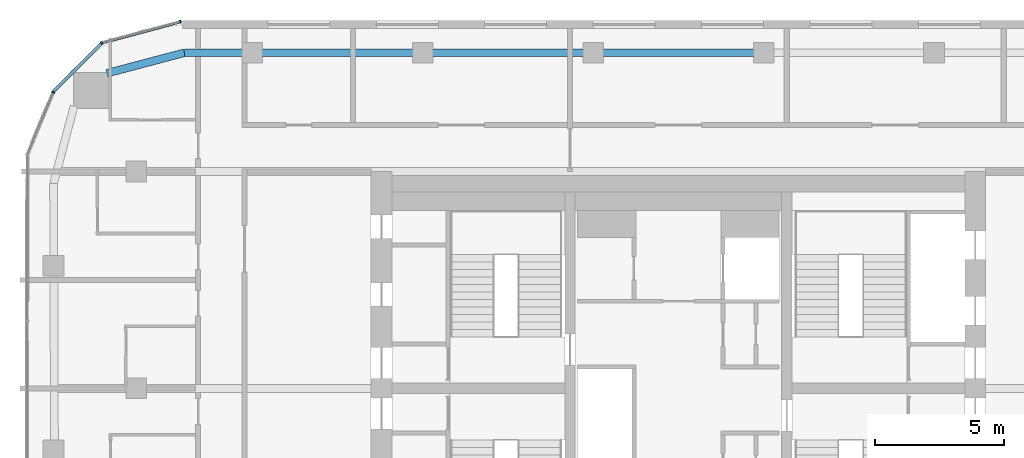
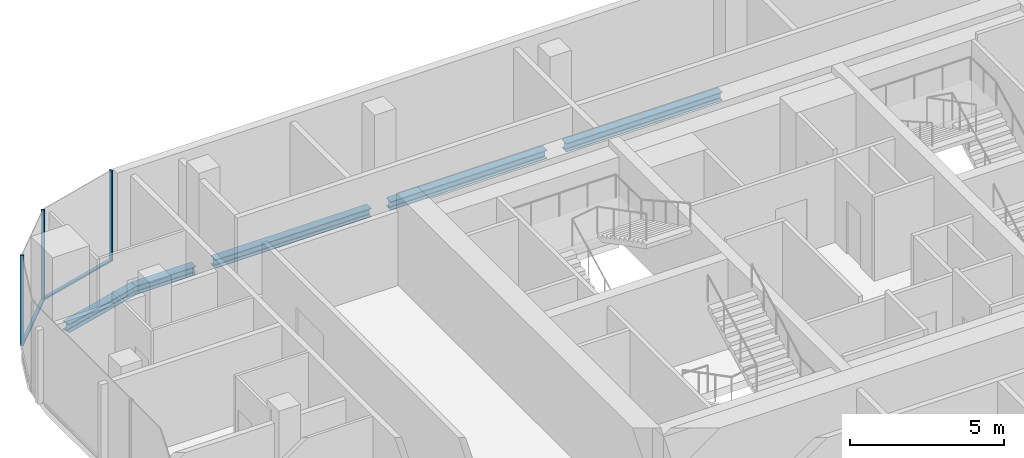
# One storey, part 10 of 22: 5 beams, 5 members, 3 elements without a shape of their own.
"""IFC4 building model written with IfcOpenShell, lengths in metres."""

from ifc_helpers import new_model, si_unit, direction, frame, origin, origin_2d, place, context, subcontext, project, spatial, rectangle, i_section, extrude, material, layer, layer_set, material_profile, profile_set, type_object, element, aggregate, save


model = new_model("IFC4")

# Units and contexts
model_context = context("Model", 3, precision=1e-05, world=origin(), true_north=direction((0.0, 1.0)))
body_context = subcontext(model_context, "Body", "Model", "MODEL_VIEW")
ifc_project = project(units=[si_unit("LENGTHUNIT", "METRE"), si_unit("AREAUNIT", "SQUARE_METRE"), si_unit("VOLUMEUNIT", "CUBIC_METRE"), si_unit("PLANEANGLEUNIT", "RADIAN"), si_unit("MASSUNIT", "GRAM", prefix="KILO")], contexts=[model_context])

# Site, building, storey
site_placement = place(None, origin())
site = spatial("IfcSite", under=ifc_project, at=site_placement, CompositionType="ELEMENT")
building_placement = place(site_placement, origin())
building = spatial("IfcBuilding", under=site, at=building_placement, Name="Marenta Gate Hotel Tower", CompositionType="ELEMENT")
storey_placement = place(building_placement, frame((0.0, 0.0, 187.699951171875)))
storey = spatial("IfcBuildingStorey", under=building, at=storey_placement, Name="L42", CompositionType="ELEMENT", Elevation=187.699951171875)

# Beams
ifc_material_1 = material(Name="Steel S355", Category="steel")
ifc_material_profile_1 = material_profile(ifc_material_1, i_section(OverallWidth=0.300048828125, OverallDepth=0.340087890625, WebThickness=0.011962890625, FlangeThickness=0.021484375, FilletRadius=0.027099609375, at=origin_2d()), Name="HEB 340")
ifc_profile_set_1 = profile_set([ifc_material_profile_1], Name="Steel S355")
beam_type = type_object("IfcBeamType", Name="Edge beam HEB 340", PredefinedType="SPANDREL", material=ifc_profile_set_1)
beam_1_placement = place(storey_placement, frame((-22.132080078125, 20.607177734375, -0.429931640625), z_axis=(0.9667647815, 0.25566747398, 0.0), x_axis=(-0.25566747398, 0.9667647815, 0.0)))
element("IfcBeam", 1, at=beam_1_placement, inside=storey, type_object=beam_type, Name="L42-EB-12", PredefinedType="SPANDREL", context=body_context, shape_type="SweptSolid", body=[
    extrude(i_section(OverallWidth=0.300048828125, OverallDepth=0.340087890625, WebThickness=0.011962890625, FlangeThickness=0.021484375, FilletRadius=0.027099609375, at=origin_2d()), origin(), (0.0, 0.0, 1.0), 3.1005859375),
])
beam_2_placement = place(storey_placement, frame((-19.134521484375, 21.39990234375, -0.429931640625), z_axis=(1.0, 0.0, 0.0), x_axis=(0.0, 1.0, 0.0)))
element("IfcBeam", 2, at=beam_2_placement, inside=storey, type_object=beam_type, Name="L42-EB-13", PredefinedType="SPANDREL", context=body_context, shape_type="SweptSolid", body=[
    extrude(i_section(OverallWidth=0.300048828125, OverallDepth=0.340087890625, WebThickness=0.011962890625, FlangeThickness=0.021484375, FilletRadius=0.027099609375, at=origin_2d()), origin(), (0.0, 0.0, 1.0), 2.267578125),
])
for number, where, z_axis, x_axis, name in (
    (3, (-16.14697265625, 21.39990234375, -0.429931640625), (1.0, 0.0, 0.0), (0.0, 1.0, 0.0), "L42-EB-14"),
    (4, (-9.544189453125, 21.39990234375, -0.429931640625), (1.0, 0.0, 0.0), (0.0, 1.0, 0.0), "L42-EB-15"),
    (5, (-2.94140625, 21.39990234375, -0.429931640625), (1.0, 0.0, 0.0), (0.0, 1.0, 0.0), "L42-EB-16"),
):
    element("IfcBeam", number, at=place(storey_placement, frame(where, z_axis=z_axis, x_axis=x_axis)), inside=storey, type_object=beam_type, Name=name, PredefinedType="SPANDREL", context=body_context, shape_type="SweptSolid", body=[
        extrude(i_section(OverallWidth=0.300048828125, OverallDepth=0.340087890625, WebThickness=0.011962890625, FlangeThickness=0.021484375, FilletRadius=0.027099609375, at=origin_2d()), origin(), (0.0, 0.0, 1.0), 5.8828125),
    ])

# Curtain wall, member
ifc_material_2 = material(Name="Tinted insulated glass in bronze anodised frame", Category="glass")
ifc_layer = layer(ifc_material_2, 0.1201171875)
ifc_layer_set = layer_set([ifc_layer], Name="Tinted insulated glass in bronze anodised frame")
curtain_wall_type = type_object("IfcCurtainWallType", Name="Tower unitised curtain wall CW1", PredefinedType="NOTDEFINED", material=ifc_layer_set)
curtain_wall_1_placement = place(storey_placement, origin())
curtain_wall_1 = element("IfcCurtainWall", 6, at=curtain_wall_1_placement, inside=storey, type_object=curtain_wall_type, Name="CW1 run G00", PredefinedType="NOTDEFINED")
ifc_material_3 = material(Name="Bronze anodised aluminium", Category="aluminium")
ifc_material_profile_2 = material_profile(ifc_material_3, rectangle(XDim=0.1201171875, YDim=0.06005859375, at=origin_2d()), Name="Mullion CW1 60x120 bronze anodised aluminium")
ifc_profile_set_2 = profile_set([ifc_material_profile_2], Name="Bronze anodised aluminium")
member_type_1 = type_object("IfcMemberType", Name="Mullion CW1 60x120 bronze anodised aluminium", PredefinedType="MULLION", material=ifc_profile_set_2)
member_1_placement = place(storey_placement, frame((-19.285400390625, 22.603271484375, 0.0), z_axis=(0.0, 0.0, 1.0), x_axis=(0.258801379183, -0.965930559685, 0.0)))
member_1 = element("IfcMember", 7, at=member_1_placement, type_object=member_type_1, Name="CW1 mullion 1", PredefinedType="MULLION", context=body_context, shape_type="SweptSolid", body=[
    extrude(rectangle(XDim=0.1201171875, YDim=0.06005859375, at=origin_2d()), origin(), (0.0, 0.0, 1.0), 3.60009765625),
])

curtain_wall_2_placement = place(storey_placement, origin())
curtain_wall_2 = element("IfcCurtainWall", 8, at=curtain_wall_2_placement, inside=storey, type_object=curtain_wall_type, Name="CW1 run G01", PredefinedType="NOTDEFINED")
member_2_placement = place(storey_placement, frame((-22.334228515625, 21.77099609375, 0.0), z_axis=(0.0, 0.0, 1.0), x_axis=(0.707106781187, -0.707106781187, 0.0)))
member_2 = element("IfcMember", 9, at=member_2_placement, type_object=member_type_1, Name="CW1 mullion 1", PredefinedType="MULLION", context=body_context, shape_type="SweptSolid", body=[
    extrude(rectangle(XDim=0.1201171875, YDim=0.06005859375, at=origin_2d()), origin(), (0.0, 0.0, 1.0), 3.60009765625),
])

curtain_wall_3_placement = place(storey_placement, origin())
curtain_wall_3 = element("IfcCurtainWall", 10, at=curtain_wall_3_placement, inside=storey, type_object=curtain_wall_type, Name="CW1 run G02", PredefinedType="NOTDEFINED")
member_3_placement = place(storey_placement, frame((-24.215087890625, 19.87353515625, 0.0), z_axis=(0.0, 0.0, 1.0), x_axis=(0.923886433266, -0.382666772044, 0.0)))
member_3 = element("IfcMember", 11, at=member_3_placement, type_object=member_type_1, Name="CW1 mullion 1", PredefinedType="MULLION", context=body_context, shape_type="SweptSolid", body=[
    extrude(rectangle(XDim=0.1201171875, YDim=0.06005859375, at=origin_2d()), origin(), (0.0, 0.0, 1.0), 3.60009765625),
])
aggregate(curtain_wall_3, [member_3])

# Member
ifc_material_4 = material(Name="Bronze anodised aluminium", Category="aluminium")
ifc_material_profile_3 = material_profile(ifc_material_4, rectangle(XDim=0.1201171875, YDim=0.06005859375, at=origin_2d()), Name="Transom CW1 60x120 bronze anodised aluminium")
ifc_profile_set_3 = profile_set([ifc_material_profile_3], Name="Bronze anodised aluminium")
member_type_2 = type_object("IfcMemberType", Name="Transom CW1 60x120 bronze anodised aluminium", PredefinedType="USERDEFINED", material=ifc_profile_set_3)
member_4_placement = place(storey_placement, frame((-19.314453125, 22.595458984375, 0.030029296875), z_axis=(-0.965924882171, -0.258822568574, 0.0), x_axis=(0.258822568574, -0.965924882171, 0.0)))
member_4 = element("IfcMember", 12, at=member_4_placement, type_object=member_type_2, Name="CW1 transom 1.1", ObjectType="TRANSOM", PredefinedType="USERDEFINED", context=body_context, shape_type="SweptSolid", body=[
    extrude(rectangle(XDim=0.1201171875, YDim=0.06005859375, at=origin_2d()), origin(), (0.0, 0.0, 1.0), 3.104248046875),
])

aggregate(curtain_wall_1, [member_1, member_4])

member_5_placement = place(storey_placement, frame((-22.355224609375, 21.749755859375, 0.030029296875), z_axis=(-0.707106781187, -0.707106781187, 0.0), x_axis=(0.707106781187, -0.707106781187, 0.0)))
member_5 = element("IfcMember", 13, at=member_5_placement, type_object=member_type_2, Name="CW1 transom 1.1", ObjectType="TRANSOM", PredefinedType="USERDEFINED", context=body_context, shape_type="SweptSolid", body=[
    extrude(rectangle(XDim=0.1201171875, YDim=0.06005859375, at=origin_2d()), origin(), (0.0, 0.0, 1.0), 2.614013671875),
])

aggregate(curtain_wall_2, [member_2, member_5])

save(model, "model.ifc")
